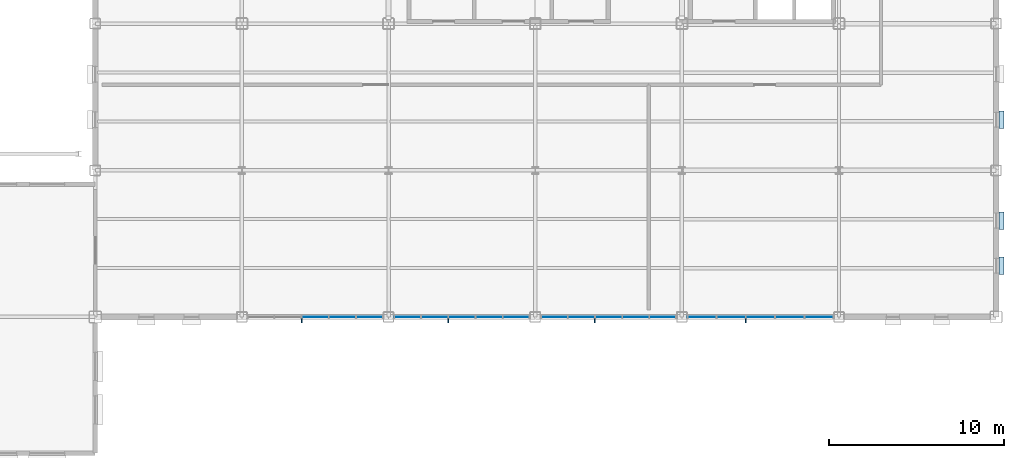
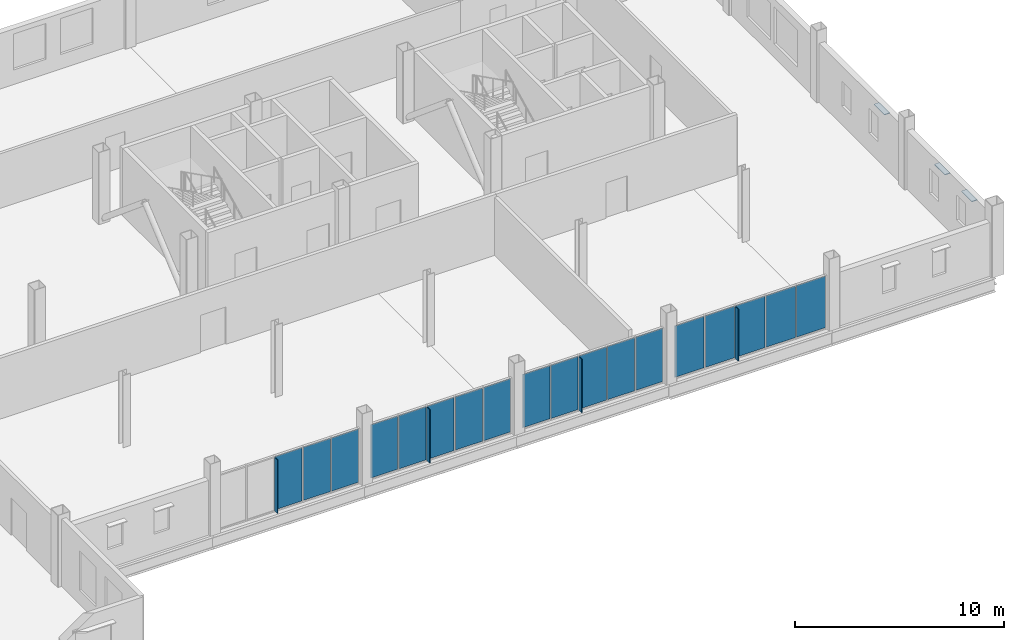
# One storey, part 24 of 45: 25 plates, 4 elements without a shape of their own.
"""IFC4 building model written with IfcOpenShell, lengths in metres."""

import ifcopenshell
import ifcopenshell.guid

model = None  # the IFC model being written
_history = None  # IfcOwnerHistory: only IFC2X3 demands one
_inside = {}  # id of a spatial element -> (the spatial element, [elements in it])
_under = {}  # id of a project, library or spatial element -> (it, [spatial elements below it])
_declared = {}  # id of a project -> (the project, [libraries it declares])
_typed = {}  # id of a type object -> (the type object, [elements of that type])
_made_of = {}  # id of a material, layer set ... -> (it, [elements and type objects made of it])


def new_model(schema):
    """Start an empty IFC model of exactly this schema.

    Asked for "IFC4X3", IfcOpenShell would pick the latest addendum, in which some entities
    have other attributes; the version numbers below select the first issue.
    IFC2X3 requires an IfcOwnerHistory on every rooted entity: one is made here for all.
    """
    global model, _history
    if schema == "IFC4X3":
        model = ifcopenshell.file(schema_version=(4, 3, 0, 0))
    else:
        model = ifcopenshell.file(schema=schema)
    _inside.clear()
    _under.clear()
    _declared.clear()
    _typed.clear()
    _made_of.clear()
    _history = None
    if model.schema == "IFC2X3":
        org = make("IfcOrganization", Name="unknown")
        user = make(
            "IfcPersonAndOrganization",
            ThePerson=make("IfcPerson", FamilyName="unknown"),
            TheOrganization=org,
        )
        app = make(
            "IfcApplication",
            ApplicationDeveloper=org,
            Version="unknown",
            ApplicationFullName="unknown",
            ApplicationIdentifier="unknown",
        )
        _history = make(
            "IfcOwnerHistory",
            OwningUser=user,
            OwningApplication=app,
            ChangeAction="ADDED",
            CreationDate=0,
        )
    return model


def make(cls, **values):
    """One entity of the class cls with the attributes given. An attribute that is None is left unset."""
    return model.create_entity(
        cls, **{name: value for name, value in values.items() if value is not None}
    )


def rooted(cls, **values):
    """An entity with a GlobalId (a new one), such as an element, a storey or a relation."""
    return make(cls, GlobalId=ifcopenshell.guid.new(), OwnerHistory=_history, **values)


def si_unit(unit_type, name, prefix=None):
    """IfcSIUnit, for example si_unit("LENGTHUNIT", "METRE", prefix="MILLI")."""
    return make("IfcSIUnit", UnitType=unit_type, Prefix=prefix, Name=name)


def assignment(units):
    """IfcUnitAssignment: the units of a project."""
    return None if units is None else make("IfcUnitAssignment", Units=units)


def point(xyz):
    """IfcCartesianPoint."""
    return None if xyz is None else make("IfcCartesianPoint", Coordinates=xyz)


def direction(xyz):
    """IfcDirection."""
    return None if xyz is None else make("IfcDirection", DirectionRatios=xyz)


def frame(location, z_axis=None, x_axis=None):
    """IfcAxis2Placement3D, a coordinate frame: its origin and axes. An axis left out is left unset."""
    return make(
        "IfcAxis2Placement3D",
        Location=point(location),
        Axis=direction(z_axis),
        RefDirection=direction(x_axis),
    )


def frame_2d(location, x_axis=None):
    """IfcAxis2Placement2D, a coordinate frame in the plane: its origin and x axis."""
    return make(
        "IfcAxis2Placement2D", Location=point(location), RefDirection=direction(x_axis)
    )


def origin():
    """The frame at (0, 0, 0) with its axes left unset."""
    return frame((0.0, 0.0, 0.0))


def origin_2d():
    """The frame at (0, 0) in the plane with its x axis left unset."""
    return frame_2d((0.0, 0.0))


def place(relative_to, where):
    """IfcLocalPlacement: puts the frame where relative to a parent placement (None: the world)."""
    return make(
        "IfcLocalPlacement", PlacementRelTo=relative_to, RelativePlacement=where
    )


def context(
    kind, dimensions, precision=None, world=None, true_north=None, identifier=None
):
    """IfcGeometricRepresentationContext, for example the 3D "Model" context."""
    return make(
        "IfcGeometricRepresentationContext",
        ContextIdentifier=identifier,
        ContextType=kind,
        CoordinateSpaceDimension=dimensions,
        Precision=precision,
        WorldCoordinateSystem=world,
        TrueNorth=true_north,
    )


def subcontext(parent, identifier, kind, view, scale=None):
    """IfcGeometricRepresentationSubContext, for example "Body" below "Model"."""
    return make(
        "IfcGeometricRepresentationSubContext",
        ContextIdentifier=identifier,
        ContextType=kind,
        ParentContext=parent,
        TargetScale=scale,
        TargetView=view,
    )


def project(units=None, contexts=None):
    """IfcProject with its units and contexts."""
    return rooted(
        "IfcProject",
        Name="project",
        RepresentationContexts=contexts,
        UnitsInContext=assignment(units),
    )


def spatial(cls, under=None, at=None, **own):
    """A site, building, storey or space (cls), placed at a placement, below another one or the project."""
    s = rooted(cls, ObjectPlacement=at, **own)
    if under is not None:
        _under.setdefault(under.id(), (under, []))[1].append(s)
    return s


def profile(cls, at=None, kind="AREA", **sizes):
    """A parametric profile (cls). Its sizes go by their IFC names, for example OverallWidth=200.0."""
    return make(cls, ProfileType=kind, Position=at, **sizes)


def rectangle(**sizes):
    """IfcRectangleProfileDef."""
    return profile("IfcRectangleProfileDef", **sizes)


def extrude(swept, where, along, depth):
    """IfcExtrudedAreaSolid: the profile swept, set in the frame where, extruded along a direction by depth."""
    return make(
        "IfcExtrudedAreaSolid",
        SweptArea=swept,
        Position=where,
        ExtrudedDirection=direction(along),
        Depth=depth,
    )


def shape(context_of_items, identifier, shape_type, items):
    """IfcShapeRepresentation: the items that make up one representation, for example the "Body"."""
    return make(
        "IfcShapeRepresentation",
        ContextOfItems=context_of_items,
        RepresentationIdentifier=identifier,
        RepresentationType=shape_type,
        Items=items,
    )


def material(Name=None, Category=None):
    """IfcMaterial."""
    return make("IfcMaterial", Name=Name, Category=Category)


def layer(
    of_material, thickness, ventilated=None, Name=None, Category=None, Priority=None
):
    """IfcMaterialLayer: one layer of a wall or slab, of a material (None: an air gap)."""
    return make(
        "IfcMaterialLayer",
        Material=of_material,
        LayerThickness=thickness,
        IsVentilated=ventilated,
        Name=Name,
        Category=Category,
        Priority=Priority,
    )


def layer_set(layers, Name=None):
    """IfcMaterialLayerSet."""
    return make("IfcMaterialLayerSet", MaterialLayers=layers, LayerSetName=Name)


def made_of(thing, what):
    """Note that an element or type object is made of a material, layer set ...; save() writes the relation."""
    if what is not None:
        _made_of.setdefault(what.id(), (what, []))[1].append(thing)
    return thing


def type_object(cls, material=None, **own):
    """A type object (cls), such as IfcWallType, which elements share."""
    return made_of(rooted(cls, **own), material)


def element(
    cls,
    number,
    at=None,
    inside=None,
    cuts=None,
    type_object=None,
    material=None,
    context=None,
    identifier="Body",
    shape_type=None,
    held_by="IfcProductDefinitionShape",
    body=None,
    shapes=None,
    **own,
):
    """One element of the class cls, such as IfcWall. Its Tag is "e" and its number.

    at: its placement. inside: the storey or other place that contains it. cuts: it is an
    opening in that element (IfcRelVoidsElement). A single representation is given by context,
    identifier, shape_type and body (its items); several are given by shapes. held_by: the class
    of the entity that holds the representations. save() writes the other relations.
    """
    e = rooted(cls, Tag="e%d" % number, ObjectPlacement=at, **own)
    if body is not None:
        shapes = [shape(context, identifier, shape_type, body)]
    if shapes is not None:
        e.Representation = make(held_by, Representations=shapes)
    if inside is not None:
        _inside.setdefault(inside.id(), (inside, []))[1].append(e)
    if cuts is not None:
        rooted(
            "IfcRelVoidsElement", RelatingBuildingElement=cuts, RelatedOpeningElement=e
        )
    if type_object is not None:
        _typed.setdefault(type_object.id(), (type_object, []))[1].append(e)
    return made_of(e, material)


def aggregate(whole, parts):
    """IfcRelAggregates: a whole, such as a stair, and the parts it consists of."""
    return rooted("IfcRelAggregates", RelatingObject=whole, RelatedObjects=parts)


def save(model, path):
    """Write the relations noted so far, then the file.

    IfcRelAggregates (storeys below a building ...), IfcRelContainedInSpatialStructure (elements
    in a storey), IfcRelDefinesByType, IfcRelAssociatesMaterial and IfcRelDeclares: one each for
    every whole, place, type object, material and project.
    """
    for whole, parts in _under.values():
        aggregate(whole, parts)
    for where, things in _inside.values():
        rooted(
            "IfcRelContainedInSpatialStructure",
            RelatedElements=things,
            RelatingStructure=where,
        )
    for kind, things in _typed.values():
        rooted("IfcRelDefinesByType", RelatedObjects=things, RelatingType=kind)
    for what, things in _made_of.values():
        rooted("IfcRelAssociatesMaterial", RelatedObjects=things, RelatingMaterial=what)
    for by, libraries in _declared.values():
        rooted("IfcRelDeclares", RelatingContext=by, RelatedDefinitions=libraries)
    model.write(path)


model = new_model("IFC4")

# Units and contexts
model_context = context("Model", 3, precision=1e-05, world=origin(), true_north=direction((0.0, 1.0)))
body_context = subcontext(model_context, "Body", "Model", "MODEL_VIEW")
ifc_project = project(units=[si_unit("LENGTHUNIT", "METRE"), si_unit("AREAUNIT", "SQUARE_METRE"), si_unit("VOLUMEUNIT", "CUBIC_METRE"), si_unit("PLANEANGLEUNIT", "RADIAN"), si_unit("MASSUNIT", "GRAM", prefix="KILO")], contexts=[model_context])

# Site, building, storey
site_placement = place(None, origin())
site = spatial("IfcSite", under=ifc_project, at=site_placement, CompositionType="ELEMENT")
building_placement = place(site_placement, origin())
building = spatial("IfcBuilding", under=site, at=building_placement, Name="Yukiwa Park Conservatory and Herbarium", CompositionType="ELEMENT")
storey_placement = place(building_placement, frame((0.0, 0.0, 9.0)))
storey = spatial("IfcBuildingStorey", under=building, at=storey_placement, Name="L02", CompositionType="ELEMENT", Elevation=9.0)

# Curtain wall, plates
ifc_material_1 = material(Name="Triple Low-E Insulated Glass", Category="glass")
ifc_layer_1 = layer(ifc_material_1, 0.199951171875)
ifc_layer_set_1 = layer_set([ifc_layer_1], Name="Triple Low-E Insulated Glass")
curtain_wall_type = type_object("IfcCurtainWallType", Name="CW-VISITOR-1600", PredefinedType="NOTDEFINED", material=ifc_layer_set_1)
curtain_wall_1_placement = place(storey_placement, origin())
curtain_wall_1 = element("IfcCurtainWall", 1, at=curtain_wall_1_placement, inside=storey, type_object=curtain_wall_type, Name="L02 unitised curtain wall CW-L02-062", PredefinedType="NOTDEFINED")
ifc_material_2 = material(Name="Triple Low-E Insulated Glass", Category="glass")
ifc_layer_2 = layer(ifc_material_2, 0.035888671875)
ifc_layer_set_2 = layer_set([ifc_layer_2], Name="Triple Low-E Insulated Glass")
plate_type_1 = type_object("IfcPlateType", Name="PL-CW-GLZ-36", PredefinedType="CURTAIN_PANEL", material=ifc_layer_set_2)
plate_1_placement = place(storey_placement, frame((129.0, 78.0, 0.070068359375), z_axis=(0.0, 0.0, 1.0), x_axis=(1.0, 0.0, 0.0)))
plate_1 = element("IfcPlate", 2, at=plate_1_placement, type_object=plate_type_1, Name="CW-L02-062 vision panel 3.1", PredefinedType="CURTAIN_PANEL", context=body_context, shape_type="SweptSolid", body=[
    extrude(rectangle(XDim=1.489990234375, YDim=0.035888671875, at=origin_2d()), origin(), (0.0, 0.0, 1.0), 3.10302734375),
])
plate_2_placement = place(storey_placement, frame((130.56005859375, 78.0, 0.070068359375), z_axis=(0.0, 0.0, 1.0), x_axis=(1.0, 0.0, 0.0)))
plate_2 = element("IfcPlate", 3, at=plate_2_placement, type_object=plate_type_1, Name="CW-L02-062 vision panel 4.1", PredefinedType="CURTAIN_PANEL", context=body_context, shape_type="SweptSolid", body=[
    extrude(rectangle(XDim=1.489990234375, YDim=0.035888671875, at=origin_2d()), origin(), (0.0, 0.0, 1.0), 3.10302734375),
])
plate_3_placement = place(storey_placement, frame((132.1201171875, 78.0, 0.070068359375), z_axis=(0.0, 0.0, 1.0), x_axis=(1.0, 0.0, 0.0)))
plate_3 = element("IfcPlate", 4, at=plate_3_placement, type_object=plate_type_1, Name="CW-L02-062 vision panel 5.1", PredefinedType="CURTAIN_PANEL", context=body_context, shape_type="SweptSolid", body=[
    extrude(rectangle(XDim=1.489990234375, YDim=0.035888671875, at=origin_2d()), origin(), (0.0, 0.0, 1.0), 3.10302734375),
])
aggregate(curtain_wall_1, [plate_1, plate_2, plate_3])

curtain_wall_2_placement = place(storey_placement, origin())
curtain_wall_2 = element("IfcCurtainWall", 5, at=curtain_wall_2_placement, inside=storey, type_object=curtain_wall_type, Name="L02 unitised curtain wall CW-L02-063", PredefinedType="NOTDEFINED")
plate_4_placement = place(storey_placement, frame((134.280029296875, 78.0, 0.070068359375), z_axis=(0.0, 0.0, 1.0), x_axis=(1.0, 0.0, 0.0)))
plate_4 = element("IfcPlate", 6, at=plate_4_placement, type_object=plate_type_1, Name="CW-L02-063 vision panel 1.1", PredefinedType="CURTAIN_PANEL", context=body_context, shape_type="SweptSolid", body=[
    extrude(rectangle(XDim=1.489990234375, YDim=0.035888671875, at=origin_2d()), origin(), (0.0, 0.0, 1.0), 3.10302734375),
])
plate_5_placement = place(storey_placement, frame((135.840087890625, 78.0, 0.070068359375), z_axis=(0.0, 0.0, 1.0), x_axis=(1.0, 0.0, 0.0)))
plate_5 = element("IfcPlate", 7, at=plate_5_placement, type_object=plate_type_1, Name="CW-L02-063 vision panel 2.1", PredefinedType="CURTAIN_PANEL", context=body_context, shape_type="SweptSolid", body=[
    extrude(rectangle(XDim=1.489990234375, YDim=0.035888671875, at=origin_2d()), origin(), (0.0, 0.0, 1.0), 3.10302734375),
])
plate_6_placement = place(storey_placement, frame((137.39990234375, 78.0, 0.070068359375), z_axis=(0.0, 0.0, 1.0), x_axis=(1.0, 0.0, 0.0)))
plate_6 = element("IfcPlate", 8, at=plate_6_placement, type_object=plate_type_1, Name="CW-L02-063 vision panel 3.1", PredefinedType="CURTAIN_PANEL", context=body_context, shape_type="SweptSolid", body=[
    extrude(rectangle(XDim=1.489990234375, YDim=0.035888671875, at=origin_2d()), origin(), (0.0, 0.0, 1.0), 3.10302734375),
])
plate_7_placement = place(storey_placement, frame((138.9599609375, 78.0, 0.070068359375), z_axis=(0.0, 0.0, 1.0), x_axis=(1.0, 0.0, 0.0)))
plate_7 = element("IfcPlate", 9, at=plate_7_placement, type_object=plate_type_1, Name="CW-L02-063 vision panel 4.1", PredefinedType="CURTAIN_PANEL", context=body_context, shape_type="SweptSolid", body=[
    extrude(rectangle(XDim=1.489990234375, YDim=0.035888671875, at=origin_2d()), origin(), (0.0, 0.0, 1.0), 3.10302734375),
])
plate_8_placement = place(storey_placement, frame((140.52001953125, 78.0, 0.070068359375), z_axis=(0.0, 0.0, 1.0), x_axis=(1.0, 0.0, 0.0)))
plate_8 = element("IfcPlate", 10, at=plate_8_placement, type_object=plate_type_1, Name="CW-L02-063 vision panel 5.1", PredefinedType="CURTAIN_PANEL", context=body_context, shape_type="SweptSolid", body=[
    extrude(rectangle(XDim=1.489990234375, YDim=0.035888671875, at=origin_2d()), origin(), (0.0, 0.0, 1.0), 3.10302734375),
])
aggregate(curtain_wall_2, [plate_4, plate_5, plate_6, plate_7, plate_8])

curtain_wall_3_placement = place(storey_placement, origin())
curtain_wall_3 = element("IfcCurtainWall", 11, at=curtain_wall_3_placement, inside=storey, type_object=curtain_wall_type, Name="L02 unitised curtain wall CW-L02-064", PredefinedType="NOTDEFINED")
plate_9_placement = place(storey_placement, frame((142.679931640625, 78.0, 0.070068359375), z_axis=(0.0, 0.0, 1.0), x_axis=(1.0, 0.0, 0.0)))
plate_9 = element("IfcPlate", 12, at=plate_9_placement, type_object=plate_type_1, Name="CW-L02-064 vision panel 1.1", PredefinedType="CURTAIN_PANEL", context=body_context, shape_type="SweptSolid", body=[
    extrude(rectangle(XDim=1.489990234375, YDim=0.035888671875, at=origin_2d()), origin(), (0.0, 0.0, 1.0), 3.10302734375),
])
plate_10_placement = place(storey_placement, frame((144.239990234375, 78.0, 0.070068359375), z_axis=(0.0, 0.0, 1.0), x_axis=(1.0, 0.0, 0.0)))
plate_10 = element("IfcPlate", 13, at=plate_10_placement, type_object=plate_type_1, Name="CW-L02-064 vision panel 2.1", PredefinedType="CURTAIN_PANEL", context=body_context, shape_type="SweptSolid", body=[
    extrude(rectangle(XDim=1.489990234375, YDim=0.035888671875, at=origin_2d()), origin(), (0.0, 0.0, 1.0), 3.10302734375),
])
plate_11_placement = place(storey_placement, frame((145.800048828125, 78.0, 0.070068359375), z_axis=(0.0, 0.0, 1.0), x_axis=(1.0, 0.0, 0.0)))
plate_11 = element("IfcPlate", 14, at=plate_11_placement, type_object=plate_type_1, Name="CW-L02-064 vision panel 3.1", PredefinedType="CURTAIN_PANEL", context=body_context, shape_type="SweptSolid", body=[
    extrude(rectangle(XDim=1.489990234375, YDim=0.035888671875, at=origin_2d()), origin(), (0.0, 0.0, 1.0), 3.10302734375),
])
plate_12_placement = place(storey_placement, frame((147.360107421875, 78.0, 0.070068359375), z_axis=(0.0, 0.0, 1.0), x_axis=(1.0, 0.0, 0.0)))
plate_12 = element("IfcPlate", 15, at=plate_12_placement, type_object=plate_type_1, Name="CW-L02-064 vision panel 4.1", PredefinedType="CURTAIN_PANEL", context=body_context, shape_type="SweptSolid", body=[
    extrude(rectangle(XDim=1.489990234375, YDim=0.035888671875, at=origin_2d()), origin(), (0.0, 0.0, 1.0), 3.10302734375),
])
plate_13_placement = place(storey_placement, frame((148.919921875, 78.0, 0.070068359375), z_axis=(0.0, 0.0, 1.0), x_axis=(1.0, 0.0, 0.0)))
plate_13 = element("IfcPlate", 16, at=plate_13_placement, type_object=plate_type_1, Name="CW-L02-064 vision panel 5.1", PredefinedType="CURTAIN_PANEL", context=body_context, shape_type="SweptSolid", body=[
    extrude(rectangle(XDim=1.489990234375, YDim=0.035888671875, at=origin_2d()), origin(), (0.0, 0.0, 1.0), 3.10302734375),
])
aggregate(curtain_wall_3, [plate_9, plate_10, plate_11, plate_12, plate_13])

curtain_wall_4_placement = place(storey_placement, origin())
curtain_wall_4 = element("IfcCurtainWall", 17, at=curtain_wall_4_placement, inside=storey, type_object=curtain_wall_type, Name="L02 unitised curtain wall CW-L02-065", PredefinedType="NOTDEFINED")
plate_14_placement = place(storey_placement, frame((151.139892578125, 78.0, 0.070068359375), z_axis=(0.0, 0.0, 1.0), x_axis=(1.0, 0.0, 0.0)))
plate_14 = element("IfcPlate", 18, at=plate_14_placement, type_object=plate_type_1, Name="CW-L02-065 vision panel 1.1", PredefinedType="CURTAIN_PANEL", context=body_context, shape_type="SweptSolid", body=[
    extrude(rectangle(XDim=1.610107421875, YDim=0.035888671875, at=origin_2d()), origin(), (0.0, 0.0, 1.0), 3.0029296875),
])
plate_15_placement = place(storey_placement, frame((152.820068359375, 78.0, 0.070068359375), z_axis=(0.0, 0.0, 1.0), x_axis=(1.0, 0.0, 0.0)))
plate_15 = element("IfcPlate", 19, at=plate_15_placement, type_object=plate_type_1, Name="CW-L02-065 vision panel 2.1", PredefinedType="CURTAIN_PANEL", context=body_context, shape_type="SweptSolid", body=[
    extrude(rectangle(XDim=1.610107421875, YDim=0.035888671875, at=origin_2d()), origin(), (0.0, 0.0, 1.0), 3.0029296875),
])
plate_16_placement = place(storey_placement, frame((154.5, 78.0, 0.070068359375), z_axis=(0.0, 0.0, 1.0), x_axis=(1.0, 0.0, 0.0)))
plate_16 = element("IfcPlate", 20, at=plate_16_placement, type_object=plate_type_1, Name="CW-L02-065 vision panel 3.1", PredefinedType="CURTAIN_PANEL", context=body_context, shape_type="SweptSolid", body=[
    extrude(rectangle(XDim=1.610107421875, YDim=0.035888671875, at=origin_2d()), origin(), (0.0, 0.0, 1.0), 3.0029296875),
])
plate_17_placement = place(storey_placement, frame((156.179931640625, 78.0, 0.070068359375), z_axis=(0.0, 0.0, 1.0), x_axis=(1.0, 0.0, 0.0)))
plate_17 = element("IfcPlate", 21, at=plate_17_placement, type_object=plate_type_1, Name="CW-L02-065 vision panel 4.1", PredefinedType="CURTAIN_PANEL", context=body_context, shape_type="SweptSolid", body=[
    extrude(rectangle(XDim=1.610107421875, YDim=0.035888671875, at=origin_2d()), origin(), (0.0, 0.0, 1.0), 3.0029296875),
])
plate_18_placement = place(storey_placement, frame((157.860107421875, 78.0, 0.070068359375), z_axis=(0.0, 0.0, 1.0), x_axis=(1.0, 0.0, 0.0)))
plate_18 = element("IfcPlate", 22, at=plate_18_placement, type_object=plate_type_1, Name="CW-L02-065 vision panel 5.1", PredefinedType="CURTAIN_PANEL", context=body_context, shape_type="SweptSolid", body=[
    extrude(rectangle(XDim=1.610107421875, YDim=0.035888671875, at=origin_2d()), origin(), (0.0, 0.0, 1.0), 3.0029296875),
])
aggregate(curtain_wall_4, [plate_14, plate_15, plate_16, plate_17, plate_18])

# Plates
ifc_material_3 = material(Name="Anodised Aluminium", Category="aluminium")
ifc_layer_3 = layer(ifc_material_3, 0.050048828125)
ifc_layer_set_3 = layer_set([ifc_layer_3], Name="Anodised Aluminium")
plate_type_2 = type_object("IfcPlateType", Name="PL-FIN-ALU-50", PredefinedType="USERDEFINED", material=ifc_layer_set_3)
for number, where, z_axis, x_axis, name in (
    (23, (128.219970703125, 77.81005859375, 0.06005859375), (0.0, 0.0, 1.0), (1.0, 0.0, 0.0), "CW-L02-062 exterior vertical shading fin"),
    (24, (136.6201171875, 77.81005859375, 0.06005859375), (0.0, 0.0, 1.0), (1.0, 0.0, 0.0), "CW-L02-063 exterior vertical shading fin"),
    (25, (145.02001953125, 77.81005859375, 0.06005859375), (0.0, 0.0, 1.0), (1.0, 0.0, 0.0), "CW-L02-064 exterior vertical shading fin"),
):
    element("IfcPlate", number, at=place(storey_placement, frame(where, z_axis=z_axis, x_axis=x_axis)), inside=storey, type_object=plate_type_2, Name=name, ObjectType="SHADING FIN", PredefinedType="USERDEFINED", context=body_context, shape_type="SweptSolid", body=[
        extrude(rectangle(XDim=0.050048828125, YDim=0.280029296875, at=origin_2d()), origin(), (0.0, 0.0, 1.0), 3.123046875),
    ])
plate_19_placement = place(storey_placement, frame((153.659912109375, 77.81005859375, 0.06005859375), z_axis=(0.0, 0.0, 1.0), x_axis=(1.0, 0.0, 0.0)))
element("IfcPlate", 26, at=plate_19_placement, inside=storey, type_object=plate_type_2, Name="CW-L02-065 exterior vertical shading fin", ObjectType="SHADING FIN", PredefinedType="USERDEFINED", context=body_context, shape_type="SweptSolid", body=[
    extrude(rectangle(XDim=0.050048828125, YDim=0.280029296875, at=origin_2d()), origin(), (0.0, 0.0, 1.0), 3.02294921875),
])
ifc_material_4 = material(Name="Anodised Aluminium", Category="aluminium")
ifc_layer_4 = layer(ifc_material_4, 0.0400390625)
ifc_layer_set_4 = layer_set([ifc_layer_4], Name="Anodised Aluminium")
plate_type_3 = type_object("IfcPlateType", Name="PL-SHADE-ALU-40", PredefinedType="SHEET", material=ifc_layer_set_4)
for number, where, z_axis, x_axis, name in (
    (27, (168.300048828125, 80.93310546875, 2.590087890625), (0.0, 0.0, 1.0), (0.0, 1.0, 0.0), "L02 snow-shedding window hood 93"),
    (28, (168.300048828125, 83.51708984375, 2.590087890625), (0.0, 0.0, 1.0), (0.0, 1.0, 0.0), "L02 snow-shedding window hood 94"),
    (29, (168.300048828125, 89.300048828125, 2.590087890625), (0.0, 0.0, 1.0), (0.0, 1.0, 0.0), "L02 snow-shedding window hood 95"),
):
    element("IfcPlate", number, at=place(storey_placement, frame(where, z_axis=z_axis, x_axis=x_axis)), inside=storey, type_object=plate_type_3, Name=name, PredefinedType="SHEET", context=body_context, shape_type="SweptSolid", body=[
        extrude(rectangle(XDim=1.010009765625, YDim=0.300048828125, at=origin_2d()), origin(), (0.0, 0.0, 1.0), 0.0400390625),
    ])

save(model, "model.ifc")
